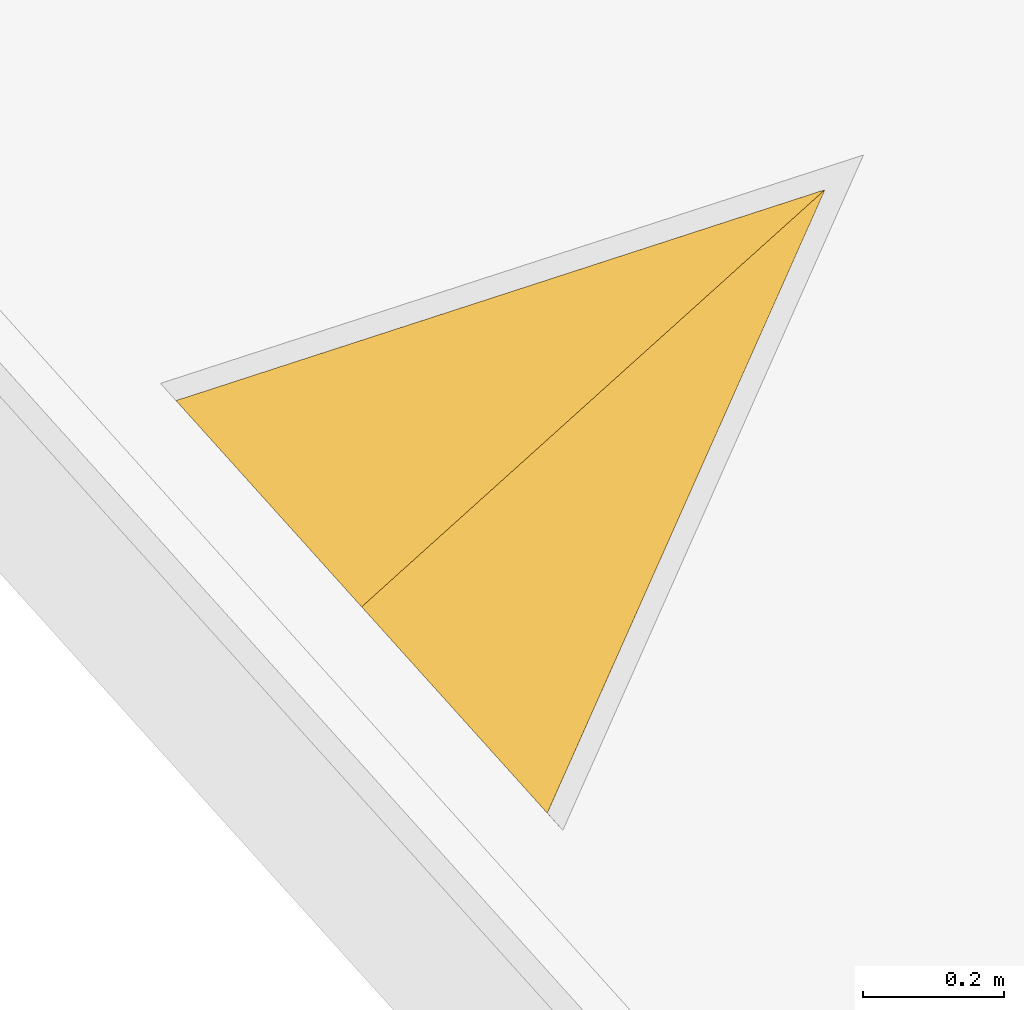
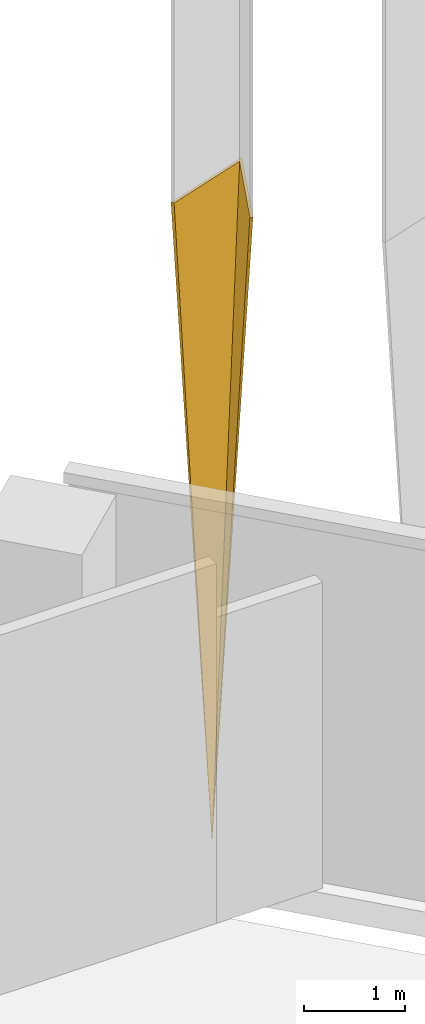
# One storey, part 20 of 21: 1 covering.
"""IFC4 building model written with IfcOpenShell, lengths in metres."""

from ifc_helpers import new_model, si_unit, direction, frame, origin, place, context, subcontext, project, spatial, polyline, outline, faceted_brep, material, material_profile, profile_set, type_object, element, save


model = new_model("IFC4")

# Units and contexts
model_context = context("Model", 3, precision=1e-05, world=origin(), true_north=direction((0.0, 1.0)))
body_context = subcontext(model_context, "Body", "Model", "MODEL_VIEW")
ifc_project = project(units=[si_unit("LENGTHUNIT", "METRE"), si_unit("AREAUNIT", "SQUARE_METRE"), si_unit("VOLUMEUNIT", "CUBIC_METRE"), si_unit("PLANEANGLEUNIT", "RADIAN"), si_unit("MASSUNIT", "GRAM", prefix="KILO")], contexts=[model_context])

# Site, building, storey
site_placement = place(None, origin())
site = spatial("IfcSite", under=ifc_project, at=site_placement, CompositionType="ELEMENT")
building_placement = place(site_placement, origin())
building = spatial("IfcBuilding", under=site, at=building_placement, Name="Isthmus Gate Tower", CompositionType="ELEMENT")
storey_placement = place(building_placement, frame((0.0, 0.0, 211.800048828125)))
storey = spatial("IfcBuildingStorey", under=building, at=storey_placement, Name="L53", CompositionType="ELEMENT", Elevation=211.800048828125)

# Covering
ifc_material = material(Name="Structural steel ASTM A572 Gr 50, white paint system", Category="steel")
ifc_material_profile = material_profile(ifc_material, outline(polyline([(0.0, -0.427490234375), (0.9599609375, 0.0), (0.0, 0.427490234375), (0.0, 0.39453125), (0.88623046875, 0.0), (0.0, -0.39453125), (0.0, -0.427490234375)])), Name="V960")
ifc_profile_set = profile_set([ifc_material_profile], Name="Structural steel ASTM A572 Gr 50, white paint system")
covering_type = type_object("IfcCoveringType", Name="FIN V 960 DEEP FOOT", PredefinedType="CLADDING", material=ifc_profile_set)
covering_placement = place(storey_placement, frame((0.0, 0.0, -211.800048828125)))
element("IfcCovering", 1, at=covering_placement, inside=storey, type_object=covering_type, Name="FIN", ObjectType="FIN", PredefinedType="CLADDING", context=body_context, shape_type="Brep", body=[
    faceted_brep([(13.82763671875, 21.711181640625, 219.550048828125), (14.255126953125, 22.671142578125, 219.550048828125), (13.255859375, 22.346435546875, 219.550048828125), (13.27783203125, 22.322021484375, 219.550048828125), (14.200439453125, 22.621826171875, 219.550048828125), (13.8056640625, 21.735595703125, 219.550048828125), (13.541748046875, 22.02880859375, 211.89990234375)], [[[0, 1, 2, 3, 4, 5]], [[1, 0, 6]], [[2, 1, 6]], [[3, 2, 6]], [[4, 3, 6]], [[5, 4, 6]], [[0, 5, 6]]]),
])

save(model, "model.ifc")
